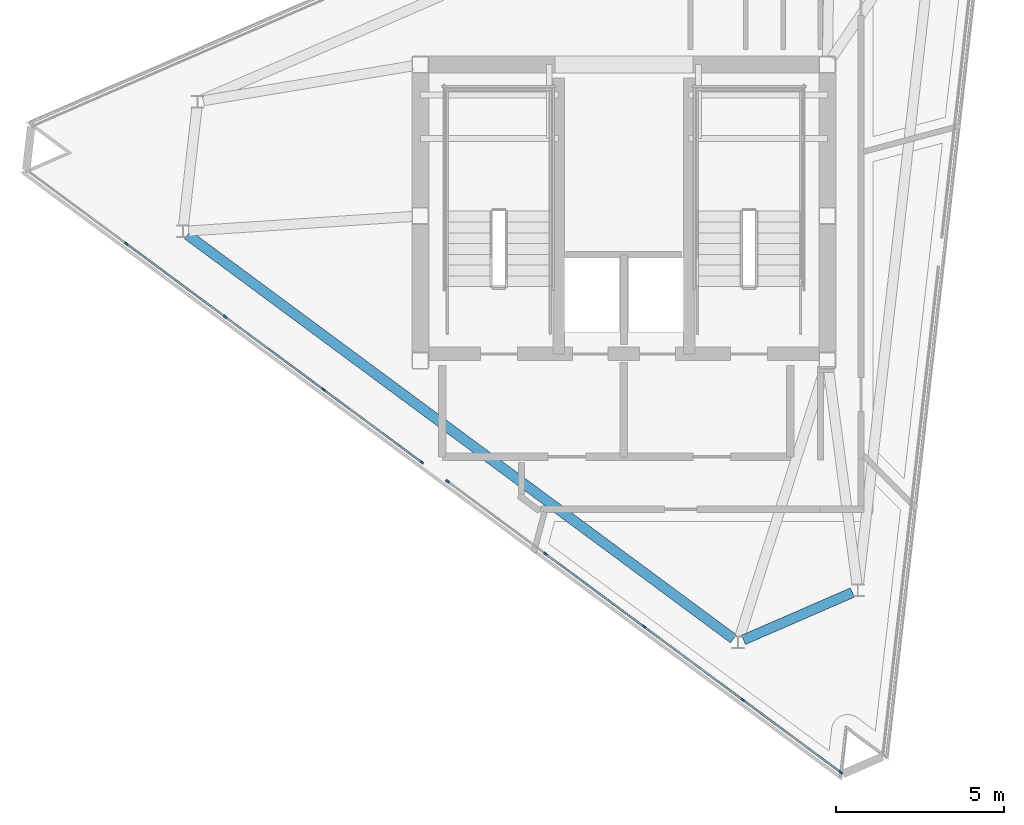
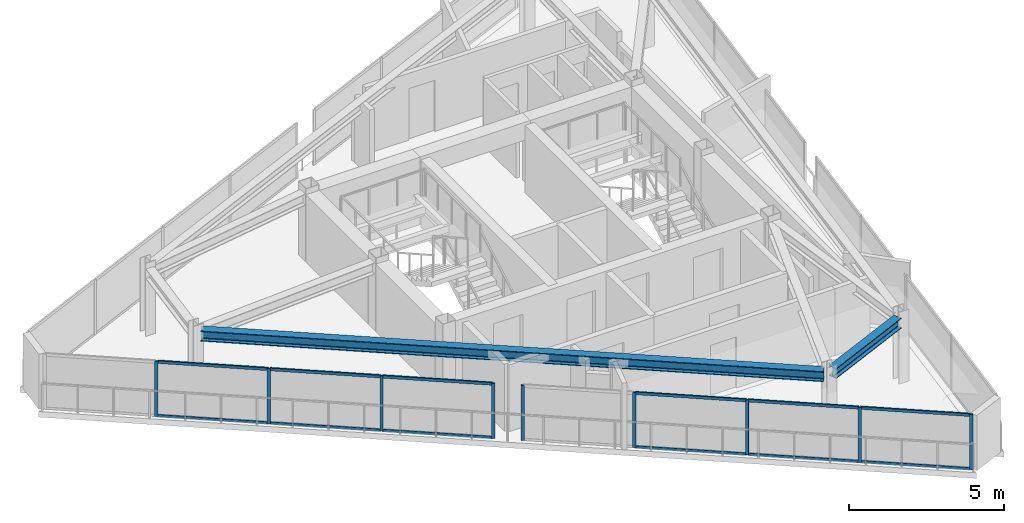
# One storey, part 2 of 9: 21 members, 2 beams, 2 elements without a shape of their own.
"""IFC4 building model written with IfcOpenShell, lengths in metres."""

from ifc_helpers import new_model, si_unit, direction, frame, origin, origin_2d, place, context, subcontext, project, spatial, rectangle, i_section, extrude, material, layer, layer_set, material_profile, profile_set, type_object, element, aggregate, save


model = new_model("IFC4")

# Units and contexts
model_context = context("Model", 3, precision=1e-05, world=origin(), true_north=direction((0.0, 1.0)))
body_context = subcontext(model_context, "Body", "Model", "MODEL_VIEW")
ifc_project = project(units=[si_unit("LENGTHUNIT", "METRE"), si_unit("AREAUNIT", "SQUARE_METRE"), si_unit("VOLUMEUNIT", "CUBIC_METRE"), si_unit("PLANEANGLEUNIT", "RADIAN"), si_unit("MASSUNIT", "GRAM", prefix="KILO")], contexts=[model_context])

# Site, building, storey
site_placement = place(None, origin())
site = spatial("IfcSite", under=ifc_project, at=site_placement, CompositionType="ELEMENT")
building_placement = place(site_placement, origin())
building = spatial("IfcBuilding", under=site, at=building_placement, Name="Rocaltana Carrier Exchange", CompositionType="ELEMENT")
storey_placement = place(building_placement, frame((0.0, 0.0, 243.360107421875)))
storey = spatial("IfcBuildingStorey", under=building, at=storey_placement, Name="L77", CompositionType="ELEMENT", Elevation=243.360107421875)

# Curtain wall, members
ifc_material_1 = material(Name="Aluminium 6063-T6", Category="aluminium")
ifc_layer = layer(ifc_material_1, 0.110107421875)
ifc_layer_set = layer_set([ifc_layer], Name="Aluminium 6063-T6")
curtain_wall_type = type_object("IfcCurtainWallType", Name="Crown Lantern Faceted Curtain Wall CW-06", PredefinedType="NOTDEFINED", material=ifc_layer_set)
curtain_wall_1_placement = place(storey_placement, origin())
curtain_wall_1 = element("IfcCurtainWall", 1, at=curtain_wall_1_placement, inside=storey, type_object=curtain_wall_type, Name="L77 CW-06 Run CW06-L77-F3S1", PredefinedType="NOTDEFINED")
ifc_material_2 = material(Name="Aluminium 6063-T6", Category="aluminium")
ifc_material_profile_1 = material_profile(ifc_material_2, rectangle(XDim=0.054931640625, YDim=0.110107421875, at=origin_2d()), Name="AL-55X110")
ifc_profile_set_1 = profile_set([ifc_material_profile_1], Name="Aluminium 6063-T6")
member_type_1 = type_object("IfcMemberType", Name="CW-06 Mullion AL-55X110", PredefinedType="MULLION", material=ifc_profile_set_1)
member_1_placement = place(storey_placement, frame((-14.7919921875, -0.824951171875, 0.0), z_axis=(0.0, 0.0, 1.0), x_axis=(0.594822558161, 0.803857029765, 0.0)))
member_1 = element("IfcMember", 2, at=member_1_placement, type_object=member_type_1, Name="CW-06 mullion 2", PredefinedType="MULLION", context=body_context, shape_type="SweptSolid", body=[
    extrude(rectangle(XDim=0.054931640625, YDim=0.110107421875, at=origin_2d()), origin(), (0.0, 0.0, 1.0), 2.16796875),
])
member_2_placement = place(storey_placement, frame((-11.85791015625, -2.99609375, 0.0), z_axis=(0.0, 0.0, 1.0), x_axis=(0.594822558161, 0.803857029765, 0.0)))
member_2 = element("IfcMember", 3, at=member_2_placement, type_object=member_type_1, Name="CW-06 mullion 3", PredefinedType="MULLION", context=body_context, shape_type="SweptSolid", body=[
    extrude(rectangle(XDim=0.054931640625, YDim=0.110107421875, at=origin_2d()), origin(), (0.0, 0.0, 1.0), 2.16796875),
])
member_3_placement = place(storey_placement, frame((-8.923828125, -5.1669921875, 0.0), z_axis=(0.0, 0.0, 1.0), x_axis=(0.594822558161, 0.803857029765, 0.0)))
member_3 = element("IfcMember", 4, at=member_3_placement, type_object=member_type_1, Name="CW-06 mullion 4", PredefinedType="MULLION", context=body_context, shape_type="SweptSolid", body=[
    extrude(rectangle(XDim=0.054931640625, YDim=0.110107421875, at=origin_2d()), origin(), (0.0, 0.0, 1.0), 2.16796875),
])
member_4_placement = place(storey_placement, frame((-6.011962890625, -7.32177734375, 0.0), z_axis=(0.0, 0.0, 1.0), x_axis=(0.594822558161, 0.803857029765, 0.0)))
member_4 = element("IfcMember", 5, at=member_4_placement, type_object=member_type_1, Name="CW-06 mullion 5", PredefinedType="MULLION", context=body_context, shape_type="SweptSolid", body=[
    extrude(rectangle(XDim=0.054931640625, YDim=0.110107421875, at=origin_2d()), origin(), (0.0, 0.0, 1.0), 2.16796875),
])

curtain_wall_2_placement = place(storey_placement, origin())
curtain_wall_2 = element("IfcCurtainWall", 6, at=curtain_wall_2_placement, inside=storey, type_object=curtain_wall_type, Name="L77 CW-06 Run CW06-L77-F3S2", PredefinedType="NOTDEFINED")
member_5_placement = place(storey_placement, frame((-5.244140625, -7.889892578125, 0.0), z_axis=(0.0, 0.0, 1.0), x_axis=(0.594822558161, 0.803857029765, 0.0)))
member_5 = element("IfcMember", 7, at=member_5_placement, type_object=member_type_1, Name="CW-06 mullion 1", PredefinedType="MULLION", context=body_context, shape_type="SweptSolid", body=[
    extrude(rectangle(XDim=0.054931640625, YDim=0.110107421875, at=origin_2d()), origin(), (0.0, 0.0, 1.0), 2.16796875),
])
member_6_placement = place(storey_placement, frame((-2.332275390625, -10.044677734375, 0.0), z_axis=(0.0, 0.0, 1.0), x_axis=(0.594822558161, 0.803857029765, 0.0)))
member_6 = element("IfcMember", 8, at=member_6_placement, type_object=member_type_1, Name="CW-06 mullion 2", PredefinedType="MULLION", context=body_context, shape_type="SweptSolid", body=[
    extrude(rectangle(XDim=0.054931640625, YDim=0.110107421875, at=origin_2d()), origin(), (0.0, 0.0, 1.0), 2.16796875),
])
member_7_placement = place(storey_placement, frame((0.601806640625, -12.2158203125, 0.0), z_axis=(0.0, 0.0, 1.0), x_axis=(0.594822558161, 0.803857029765, 0.0)))
member_7 = element("IfcMember", 9, at=member_7_placement, type_object=member_type_1, Name="CW-06 mullion 3", PredefinedType="MULLION", context=body_context, shape_type="SweptSolid", body=[
    extrude(rectangle(XDim=0.054931640625, YDim=0.110107421875, at=origin_2d()), origin(), (0.0, 0.0, 1.0), 2.16796875),
])
member_8_placement = place(storey_placement, frame((3.535888671875, -14.386962890625, 0.0), z_axis=(0.0, 0.0, 1.0), x_axis=(0.594822558161, 0.803857029765, 0.0)))
member_8 = element("IfcMember", 10, at=member_8_placement, type_object=member_type_1, Name="CW-06 mullion 4", PredefinedType="MULLION", context=body_context, shape_type="SweptSolid", body=[
    extrude(rectangle(XDim=0.054931640625, YDim=0.110107421875, at=origin_2d()), origin(), (0.0, 0.0, 1.0), 2.16796875),
])
member_9_placement = place(storey_placement, frame((6.447998046875, -16.541748046875, 0.0), z_axis=(0.0, 0.0, 1.0), x_axis=(0.594822558161, 0.803857029765, 0.0)))
member_9 = element("IfcMember", 11, at=member_9_placement, type_object=member_type_1, Name="CW-06 mullion 5", PredefinedType="MULLION", context=body_context, shape_type="SweptSolid", body=[
    extrude(rectangle(XDim=0.054931640625, YDim=0.110107421875, at=origin_2d()), origin(), (0.0, 0.0, 1.0), 2.16796875),
])

# Member
ifc_material_3 = material(Name="Aluminium 6063-T6", Category="aluminium")
ifc_material_profile_2 = material_profile(ifc_material_3, rectangle(XDim=0.054931640625, YDim=0.110107421875, at=origin_2d()), Name="AL-55X110")
ifc_profile_set_2 = profile_set([ifc_material_profile_2], Name="Aluminium 6063-T6")
member_type_2 = type_object("IfcMemberType", Name="CW-06 Transom AL-55X110", PredefinedType="USERDEFINED", material=ifc_profile_set_2)
member_10_placement = place(storey_placement, frame((-14.77001953125, -0.84130859375, 0.02734375), z_axis=(0.803854238379, -0.594826330486, 0.0), x_axis=(0.594826330486, 0.803854238379, 0.0)))
member_10 = element("IfcMember", 12, at=member_10_placement, type_object=member_type_2, Name="CW-06 transom 2.1", ObjectType="TRANSOM", PredefinedType="USERDEFINED", context=body_context, shape_type="SweptSolid", body=[
    extrude(rectangle(XDim=0.054931640625, YDim=0.110107421875, at=origin_2d()), origin(), (0.0, 0.0, 1.0), 3.594970703125),
])

member_11_placement = place(storey_placement, frame((-14.77001953125, -0.84130859375, 2.140380859375), z_axis=(0.803854238379, -0.594826330486, 0.0), x_axis=(0.594826330486, 0.803854238379, 0.0)))
member_11 = element("IfcMember", 13, at=member_11_placement, type_object=member_type_2, Name="CW-06 transom 2.2", ObjectType="TRANSOM", PredefinedType="USERDEFINED", context=body_context, shape_type="SweptSolid", body=[
    extrude(rectangle(XDim=0.054931640625, YDim=0.110107421875, at=origin_2d()), origin(), (0.0, 0.0, 1.0), 3.594970703125),
])

member_12_placement = place(storey_placement, frame((-11.8359375, -3.012451171875, 0.02734375), z_axis=(0.803886710053, -0.594782445437, 0.0), x_axis=(0.594782445437, 0.803886710053, 0.0)))
member_12 = element("IfcMember", 14, at=member_12_placement, type_object=member_type_2, Name="CW-06 transom 3.1", ObjectType="TRANSOM", PredefinedType="USERDEFINED", context=body_context, shape_type="SweptSolid", body=[
    extrude(rectangle(XDim=0.054931640625, YDim=0.110107421875, at=origin_2d()), origin(), (0.0, 0.0, 1.0), 3.594970703125),
])

member_13_placement = place(storey_placement, frame((-11.8359375, -3.012451171875, 2.140380859375), z_axis=(0.803886710053, -0.594782445437, 0.0), x_axis=(0.594782445437, 0.803886710053, 0.0)))
member_13 = element("IfcMember", 15, at=member_13_placement, type_object=member_type_2, Name="CW-06 transom 3.2", ObjectType="TRANSOM", PredefinedType="USERDEFINED", context=body_context, shape_type="SweptSolid", body=[
    extrude(rectangle(XDim=0.054931640625, YDim=0.110107421875, at=origin_2d()), origin(), (0.0, 0.0, 1.0), 3.594970703125),
])

member_14_placement = place(storey_placement, frame((-8.90185546875, -5.183349609375, 0.02734375), z_axis=(0.803867421072, -0.594808514851, 0.0), x_axis=(0.594808514851, 0.803867421072, 0.0)))
member_14 = element("IfcMember", 16, at=member_14_placement, type_object=member_type_2, Name="CW-06 transom 4.1", ObjectType="TRANSOM", PredefinedType="USERDEFINED", context=body_context, shape_type="SweptSolid", body=[
    extrude(rectangle(XDim=0.054931640625, YDim=0.110107421875, at=origin_2d()), origin(), (0.0, 0.0, 1.0), 3.567626953125),
])

member_15_placement = place(storey_placement, frame((-8.90185546875, -5.183349609375, 2.140380859375), z_axis=(0.803867421072, -0.594808514851, 0.0), x_axis=(0.594808514851, 0.803867421072, 0.0)))
member_15 = element("IfcMember", 17, at=member_15_placement, type_object=member_type_2, Name="CW-06 transom 4.2", ObjectType="TRANSOM", PredefinedType="USERDEFINED", context=body_context, shape_type="SweptSolid", body=[
    extrude(rectangle(XDim=0.054931640625, YDim=0.110107421875, at=origin_2d()), origin(), (0.0, 0.0, 1.0), 3.567626953125),
])

aggregate(curtain_wall_1, [member_1, member_2, member_3, member_4, member_10, member_11, member_12, member_13, member_14, member_15])

member_16_placement = place(storey_placement, frame((-2.31005859375, -10.06103515625, 0.02734375), z_axis=(0.803854238379, -0.594826330486, 0.0), x_axis=(0.594826330486, 0.803854238379, 0.0)))
member_16 = element("IfcMember", 18, at=member_16_placement, type_object=member_type_2, Name="CW-06 transom 2.1", ObjectType="TRANSOM", PredefinedType="USERDEFINED", context=body_context, shape_type="SweptSolid", body=[
    extrude(rectangle(XDim=0.054931640625, YDim=0.110107421875, at=origin_2d()), origin(), (0.0, 0.0, 1.0), 3.594970703125),
])

member_17_placement = place(storey_placement, frame((-2.31005859375, -10.06103515625, 2.140380859375), z_axis=(0.803854238379, -0.594826330486, 0.0), x_axis=(0.594826330486, 0.803854238379, 0.0)))
member_17 = element("IfcMember", 19, at=member_17_placement, type_object=member_type_2, Name="CW-06 transom 2.2", ObjectType="TRANSOM", PredefinedType="USERDEFINED", context=body_context, shape_type="SweptSolid", body=[
    extrude(rectangle(XDim=0.054931640625, YDim=0.110107421875, at=origin_2d()), origin(), (0.0, 0.0, 1.0), 3.594970703125),
])

member_18_placement = place(storey_placement, frame((0.6240234375, -12.232177734375, 0.02734375), z_axis=(0.803854238379, -0.594826330486, 0.0), x_axis=(0.594826330486, 0.803854238379, 0.0)))
member_18 = element("IfcMember", 20, at=member_18_placement, type_object=member_type_2, Name="CW-06 transom 3.1", ObjectType="TRANSOM", PredefinedType="USERDEFINED", context=body_context, shape_type="SweptSolid", body=[
    extrude(rectangle(XDim=0.054931640625, YDim=0.110107421875, at=origin_2d()), origin(), (0.0, 0.0, 1.0), 3.594970703125),
])

member_19_placement = place(storey_placement, frame((0.6240234375, -12.232177734375, 2.140380859375), z_axis=(0.803854238379, -0.594826330486, 0.0), x_axis=(0.594826330486, 0.803854238379, 0.0)))
member_19 = element("IfcMember", 21, at=member_19_placement, type_object=member_type_2, Name="CW-06 transom 3.2", ObjectType="TRANSOM", PredefinedType="USERDEFINED", context=body_context, shape_type="SweptSolid", body=[
    extrude(rectangle(XDim=0.054931640625, YDim=0.110107421875, at=origin_2d()), origin(), (0.0, 0.0, 1.0), 3.594970703125),
])

member_20_placement = place(storey_placement, frame((3.55810546875, -14.4033203125, 0.02734375), z_axis=(0.803843208125, -0.594841236593, 0.0), x_axis=(0.594841236593, 0.803843208125, 0.0)))
member_20 = element("IfcMember", 22, at=member_20_placement, type_object=member_type_2, Name="CW-06 transom 4.1", ObjectType="TRANSOM", PredefinedType="USERDEFINED", context=body_context, shape_type="SweptSolid", body=[
    extrude(rectangle(XDim=0.054931640625, YDim=0.110107421875, at=origin_2d()), origin(), (0.0, 0.0, 1.0), 3.5673828125),
])

member_21_placement = place(storey_placement, frame((3.55810546875, -14.4033203125, 2.140380859375), z_axis=(0.803843208125, -0.594841236593, 0.0), x_axis=(0.594841236593, 0.803843208125, 0.0)))
member_21 = element("IfcMember", 23, at=member_21_placement, type_object=member_type_2, Name="CW-06 transom 4.2", ObjectType="TRANSOM", PredefinedType="USERDEFINED", context=body_context, shape_type="SweptSolid", body=[
    extrude(rectangle(XDim=0.054931640625, YDim=0.110107421875, at=origin_2d()), origin(), (0.0, 0.0, 1.0), 3.5673828125),
])

aggregate(curtain_wall_2, [member_5, member_6, member_7, member_8, member_9, member_16, member_17, member_18, member_19, member_20, member_21])

# Beams
ifc_material_4 = material(Name="Steel S460", Category="steel")
ifc_material_profile_3 = material_profile(ifc_material_4, i_section(OverallWidth=0.300048828125, OverallDepth=0.39990234375, WebThickness=0.013427734375, FlangeThickness=0.02392578125, FilletRadius=0.027099609375, at=origin_2d()), Name="HEB400")
ifc_profile_set_3 = profile_set([ifc_material_profile_3], Name="Steel S460")
beam_type = type_object("IfcBeamType", Name="Crown Ring Beam HEB400", PredefinedType="BEAM", material=ifc_profile_set_3)
beam_1_placement = place(storey_placement, frame((-12.97265625, -0.561767578125, 2.447998046875), z_axis=(0.803856586634, -0.594823157018, 0.0), x_axis=(0.594823157018, 0.803856586634, 0.0)))
element("IfcBeam", 24, at=beam_1_placement, inside=storey, type_object=beam_type, Name="CRG-RING-L77-05", PredefinedType="BEAM", context=body_context, shape_type="SweptSolid", body=[
    extrude(i_section(OverallWidth=0.300048828125, OverallDepth=0.39990234375, WebThickness=0.013427734375, FlangeThickness=0.02392578125, FilletRadius=0.027099609375, at=origin_2d()), origin(), (0.0, 0.0, 1.0), 20.18798828125),
])
beam_2_placement = place(storey_placement, frame((3.55517578125, -12.60400390625, 2.447998046875), z_axis=(0.917068957049, 0.398728639574, 0.0), x_axis=(-0.398728639574, 0.917068957049, 0.0)))
element("IfcBeam", 25, at=beam_2_placement, inside=storey, type_object=beam_type, Name="CRG-RING-L77-06", PredefinedType="BEAM", context=body_context, shape_type="SweptSolid", body=[
    extrude(i_section(OverallWidth=0.300048828125, OverallDepth=0.39990234375, WebThickness=0.013427734375, FlangeThickness=0.02392578125, FilletRadius=0.027099609375, at=origin_2d()), origin(), (0.0, 0.0, 1.0), 3.531005859375),
])

save(model, "model.ifc")
